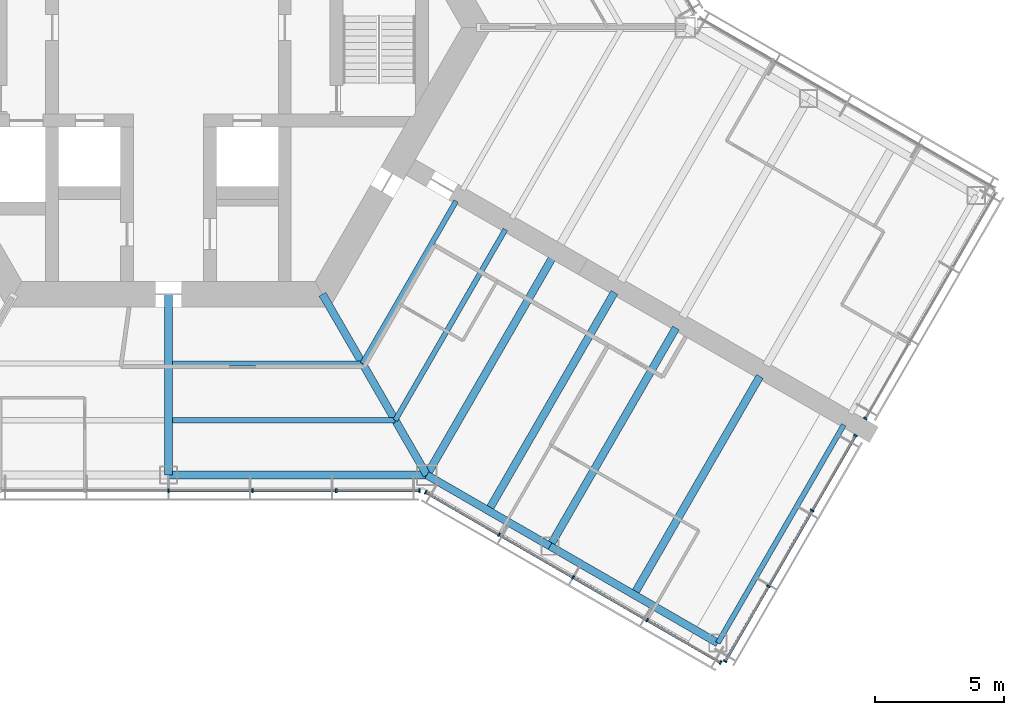
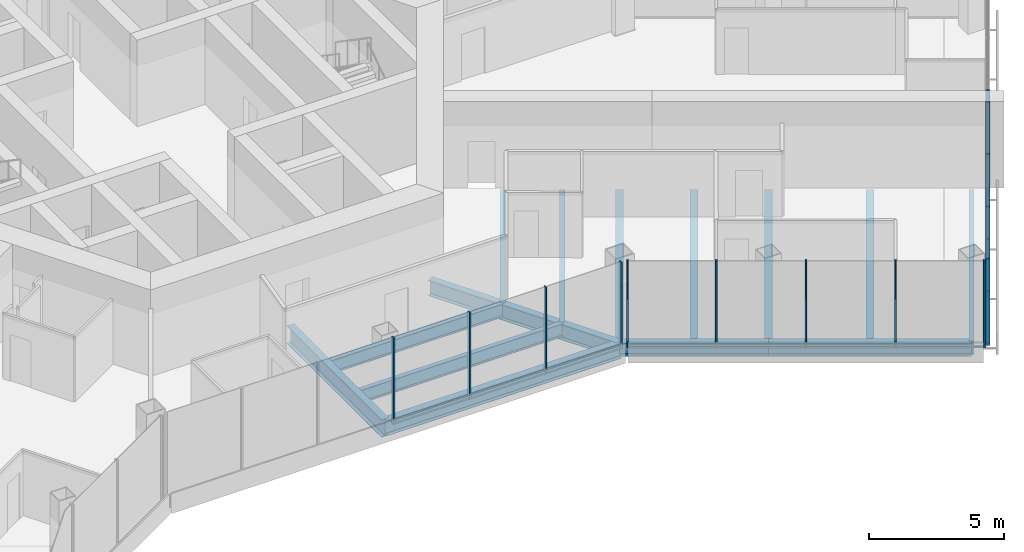
# One storey, part 5 of 18: 24 members, 14 beams, 4 elements without a shape of their own.
"""IFC4 building model written with IfcOpenShell, lengths in metres."""

from ifc_helpers import new_model, si_unit, direction, frame, origin, origin_2d, place, context, subcontext, project, spatial, rectangle, i_section, extrude, material, material_profile, profile_set, type_object, element, aggregate, save


model = new_model("IFC4")

# Units and contexts
model_context = context("Model", 3, precision=1e-05, world=origin(), true_north=direction((0.0, 1.0)))
body_context = subcontext(model_context, "Body", "Model", "MODEL_VIEW")
ifc_project = project(units=[si_unit("LENGTHUNIT", "METRE"), si_unit("AREAUNIT", "SQUARE_METRE"), si_unit("VOLUMEUNIT", "CUBIC_METRE"), si_unit("PLANEANGLEUNIT", "RADIAN"), si_unit("MASSUNIT", "GRAM", prefix="KILO")], contexts=[model_context])

# Site, building, storey
site_placement = place(None, origin())
site = spatial("IfcSite", under=ifc_project, at=site_placement, CompositionType="ELEMENT")
building_placement = place(site_placement, origin())
building = spatial("IfcBuilding", under=site, at=building_placement, Name="Kasaneha Research Tower", CompositionType="ELEMENT")
storey_placement = place(building_placement, frame((0.0, 0.0, 137.0)))
storey = spatial("IfcBuildingStorey", under=building, at=storey_placement, Name="L34", CompositionType="ELEMENT", Elevation=137.0)

# Beams
ifc_material_1 = material(Name="Steel SN490B", Category="steel")
ifc_material_profile_1 = material_profile(ifc_material_1, i_section(OverallWidth=0.199951171875, OverallDepth=0.60009765625, WebThickness=0.010986328125, FlangeThickness=0.01708984375, FilletRadius=0.012939453125, at=origin_2d()), Name="H-600x200x11x17")
ifc_profile_set_1 = profile_set([ifc_material_profile_1], Name="Steel SN490B")
beam_type_1 = type_object("IfcBeamType", Name="B1-3 secondary beam H-600x200x11x17", PredefinedType="JOIST", material=ifc_profile_set_1)
beam_1_placement = place(storey_placement, frame((7.505615234375, -13.0, -0.449951171875), z_axis=(-1.0, 0.0, 0.0), x_axis=(0.0, -1.0, 0.0)))
element("IfcBeam", 1, at=beam_1_placement, inside=storey, type_object=beam_type_1, Name="Secondary beam RS270R1 L34", PredefinedType="JOIST", context=body_context, shape_type="SweptSolid", body=[
    extrude(i_section(OverallWidth=0.199951171875, OverallDepth=0.60009765625, WebThickness=0.010986328125, FlangeThickness=0.01708984375, FilletRadius=0.012939453125, at=origin_2d()), origin(), (0.0, 0.0, 1.0), 7.355712890625),
])
beam_2_placement = place(storey_placement, frame((8.775634765625, -15.199951171875, -0.449951171875), z_axis=(-1.0, 0.0, 0.0), x_axis=(0.0, -1.0, 0.0)))
element("IfcBeam", 2, at=beam_2_placement, inside=storey, type_object=beam_type_1, Name="Secondary beam RS270R2 L34", PredefinedType="JOIST", context=body_context, shape_type="SweptSolid", body=[
    extrude(i_section(OverallWidth=0.199951171875, OverallDepth=0.60009765625, WebThickness=0.010986328125, FlangeThickness=0.01708984375, FilletRadius=0.012939453125, at=origin_2d()), origin(), (0.0, 0.0, 1.0), 8.625732421875),
])
beam_3_placement = place(storey_placement, frame((7.505615234375, -13.0, -0.449951171875), z_axis=(0.499993340521, 0.866029248602, 0.0), x_axis=(-0.866029248602, 0.499993340521, 0.0)))
element("IfcBeam", 3, at=beam_3_placement, inside=storey, type_object=beam_type_1, Name="Secondary beam RS330L1 L34", PredefinedType="JOIST", context=body_context, shape_type="SweptSolid", body=[
    extrude(i_section(OverallWidth=0.199951171875, OverallDepth=0.60009765625, WebThickness=0.010986328125, FlangeThickness=0.01708984375, FilletRadius=0.012939453125, at=origin_2d()), origin(), (0.0, 0.0, 1.0), 7.25537109375),
])
beam_4_placement = place(storey_placement, frame((8.775634765625, -15.199951171875, -0.449951171875), z_axis=(0.500004205306, 0.866022975836, 0.0), x_axis=(-0.866022975836, 0.500004205306, 0.0)))
element("IfcBeam", 4, at=beam_4_placement, inside=storey, type_object=beam_type_1, Name="Secondary beam RS330L2 L34", PredefinedType="JOIST", context=body_context, shape_type="SweptSolid", body=[
    extrude(i_section(OverallWidth=0.199951171875, OverallDepth=0.60009765625, WebThickness=0.010986328125, FlangeThickness=0.01708984375, FilletRadius=0.012939453125, at=origin_2d()), origin(), (0.0, 0.0, 1.0), 8.52587890625),
])
ifc_material_2 = material(Name="Steel SN490B", Category="steel")
ifc_material_profile_2 = material_profile(ifc_material_2, i_section(OverallWidth=0.300048828125, OverallDepth=0.58203125, WebThickness=0.011962890625, FlangeThickness=0.01708984375, FilletRadius=0.012939453125, at=origin_2d()), Name="H-582x300x12x17")
ifc_profile_set_2 = profile_set([ifc_material_profile_2], Name="Steel SN490B")
beam_type_2 = type_object("IfcBeamType", Name="B2-3 secondary beam H-582x300x12x17", PredefinedType="JOIST", material=ifc_profile_set_2)
for number, where, z_axis, x_axis, name in (
    (5, (12.381591796875, -18.695556640625, -0.44091796875), (0.499995560238, 0.866027967067, 0.0), (-0.866027967067, 0.499995560238, 0.0), "Secondary beam WBCP1 L34"),
    (6, (18.0107421875, -21.945556640625, -0.44091796875), (0.499995560238, 0.866027967067, 0.0), (-0.866027967067, 0.499995560238, 0.0), "Secondary beam WBCP2 L34"),
):
    element("IfcBeam", number, at=place(storey_placement, frame(where, z_axis=z_axis, x_axis=x_axis)), inside=storey, type_object=beam_type_2, Name=name, PredefinedType="JOIST", context=body_context, shape_type="SweptSolid", body=[
        extrude(i_section(OverallWidth=0.300048828125, OverallDepth=0.58203125, WebThickness=0.011962890625, FlangeThickness=0.01708984375, FilletRadius=0.012939453125, at=origin_2d()), origin(), (0.0, 0.0, 1.0), 9.75),
    ])

# Curtain wall, members
ifc_material_3 = material(Name="Glass and aluminium", Category="aluminium")
curtain_wall_type = type_object("IfcCurtainWallType", Name="Mid-rise office curtain wall", PredefinedType="USERDEFINED", material=ifc_material_3)
curtain_wall_1_placement = place(storey_placement, origin())
curtain_wall_1 = element("IfcCurtainWall", 7, at=curtain_wall_1_placement, inside=storey, type_object=curtain_wall_type, Name="CW-O2 L34 run 01a", ObjectType="UNITISED CURTAIN WALL", PredefinedType="USERDEFINED")
ifc_material_4 = material(Name="Aluminium 6063-T6", Category="aluminium")
ifc_material_profile_3 = material_profile(ifc_material_4, rectangle(XDim=0.06005859375, YDim=0.14990234375, at=origin_2d()), Name="CW-O2 mullion 60x150")
ifc_profile_set_3 = profile_set([ifc_material_profile_3], Name="Aluminium 6063-T6")
member_type_1 = type_object("IfcMemberType", Name="CW-O2 mullion", PredefinedType="MULLION", material=ifc_profile_set_3)
member_1_placement = place(storey_placement, frame((0.0, -17.92041015625, 0.0), z_axis=(0.0, 0.0, 1.0), x_axis=(1.0, 0.0, 0.0)))
member_1 = element("IfcMember", 8, at=member_1_placement, type_object=member_type_1, Name="CW-O2 mullion 4", PredefinedType="MULLION", context=body_context, shape_type="SweptSolid", body=[
    extrude(rectangle(XDim=0.06005859375, YDim=0.14990234375, at=origin_2d()), origin(), (0.0, 0.0, 1.0), 3.89990234375),
])
member_2_placement = place(storey_placement, frame((3.246337890625, -17.92041015625, 0.0), z_axis=(0.0, 0.0, 1.0), x_axis=(1.0, 0.0, 0.0)))
member_2 = element("IfcMember", 9, at=member_2_placement, type_object=member_type_1, Name="CW-O2 mullion 5", PredefinedType="MULLION", context=body_context, shape_type="SweptSolid", body=[
    extrude(rectangle(XDim=0.06005859375, YDim=0.14990234375, at=origin_2d()), origin(), (0.0, 0.0, 1.0), 3.89990234375),
])
member_3_placement = place(storey_placement, frame((6.492919921875, -17.92041015625, 0.0), z_axis=(0.0, 0.0, 1.0), x_axis=(1.0, 0.0, 0.0)))
member_3 = element("IfcMember", 10, at=member_3_placement, type_object=member_type_1, Name="CW-O2 mullion 6", PredefinedType="MULLION", context=body_context, shape_type="SweptSolid", body=[
    extrude(rectangle(XDim=0.06005859375, YDim=0.14990234375, at=origin_2d()), origin(), (0.0, 0.0, 1.0), 3.89990234375),
])
member_4_placement = place(storey_placement, frame((9.709228515625, -17.92041015625, 0.0), z_axis=(0.0, 0.0, 1.0), x_axis=(1.0, 0.0, 0.0)))
member_4 = element("IfcMember", 11, at=member_4_placement, type_object=member_type_1, Name="CW-O2 mullion 7", PredefinedType="MULLION", context=body_context, shape_type="SweptSolid", body=[
    extrude(rectangle(XDim=0.06005859375, YDim=0.14990234375, at=origin_2d()), origin(), (0.0, 0.0, 1.0), 3.89990234375),
])

curtain_wall_2_placement = place(storey_placement, origin())
curtain_wall_2 = element("IfcCurtainWall", 12, at=curtain_wall_2_placement, inside=storey, type_object=curtain_wall_type, Name="CW-O2 L34 run 02a", ObjectType="UNITISED CURTAIN WALL", PredefinedType="USERDEFINED")
member_5_placement = place(storey_placement, frame((9.951904296875, -17.985595703125, 0.0), z_axis=(0.0, 0.0, 1.0), x_axis=(0.866025411464, -0.499999986699, 0.0)))
member_5 = element("IfcMember", 13, at=member_5_placement, type_object=member_type_1, Name="CW-O2 mullion 1", PredefinedType="MULLION", context=body_context, shape_type="SweptSolid", body=[
    extrude(rectangle(XDim=0.06005859375, YDim=0.14990234375, at=origin_2d()), origin(), (0.0, 0.0, 1.0), 3.89990234375),
])
member_6_placement = place(storey_placement, frame((12.792236328125, -19.62548828125, 0.0), z_axis=(0.0, 0.0, 1.0), x_axis=(0.866025411464, -0.499999986699, 0.0)))
member_6 = element("IfcMember", 14, at=member_6_placement, type_object=member_type_1, Name="CW-O2 mullion 2", PredefinedType="MULLION", context=body_context, shape_type="SweptSolid", body=[
    extrude(rectangle(XDim=0.06005859375, YDim=0.14990234375, at=origin_2d()), origin(), (0.0, 0.0, 1.0), 3.89990234375),
])
member_7_placement = place(storey_placement, frame((15.65869140625, -21.2802734375, 0.0), z_axis=(0.0, 0.0, 1.0), x_axis=(0.866025411464, -0.499999986699, 0.0)))
member_7 = element("IfcMember", 15, at=member_7_placement, type_object=member_type_1, Name="CW-O2 mullion 3", PredefinedType="MULLION", context=body_context, shape_type="SweptSolid", body=[
    extrude(rectangle(XDim=0.06005859375, YDim=0.14990234375, at=origin_2d()), origin(), (0.0, 0.0, 1.0), 3.89990234375),
])
member_8_placement = place(storey_placement, frame((18.52490234375, -22.935302734375, 0.0), z_axis=(0.0, 0.0, 1.0), x_axis=(0.866025411464, -0.499999986699, 0.0)))
member_8 = element("IfcMember", 16, at=member_8_placement, type_object=member_type_1, Name="CW-O2 mullion 4", PredefinedType="MULLION", context=body_context, shape_type="SweptSolid", body=[
    extrude(rectangle(XDim=0.06005859375, YDim=0.14990234375, at=origin_2d()), origin(), (0.0, 0.0, 1.0), 3.89990234375),
])
member_9_placement = place(storey_placement, frame((21.365478515625, -24.5751953125, 0.0), z_axis=(0.0, 0.0, 1.0), x_axis=(0.866025411464, -0.499999986699, 0.0)))
member_9 = element("IfcMember", 17, at=member_9_placement, type_object=member_type_1, Name="CW-O2 mullion 5", PredefinedType="MULLION", context=body_context, shape_type="SweptSolid", body=[
    extrude(rectangle(XDim=0.06005859375, YDim=0.14990234375, at=origin_2d()), origin(), (0.0, 0.0, 1.0), 3.89990234375),
])

curtain_wall_3_placement = place(storey_placement, origin())
curtain_wall_3 = element("IfcCurtainWall", 18, at=curtain_wall_3_placement, inside=storey, type_object=curtain_wall_type, Name="CW-O2 L34 run 03a", ObjectType="UNITISED CURTAIN WALL", PredefinedType="USERDEFINED")
member_10_placement = place(storey_placement, frame((21.54296875, -24.527587890625, 0.0), z_axis=(0.0, 0.0, 1.0), x_axis=(0.500000011442, 0.866025397178, 0.0)))
member_10 = element("IfcMember", 19, at=member_10_placement, type_object=member_type_1, Name="CW-O2 mullion 1", PredefinedType="MULLION", context=body_context, shape_type="SweptSolid", body=[
    extrude(rectangle(XDim=0.06005859375, YDim=0.14990234375, at=origin_2d()), origin(), (0.0, 0.0, 1.0), 3.89990234375),
])
member_11_placement = place(storey_placement, frame((23.2197265625, -21.62353515625, 0.0), z_axis=(0.0, 0.0, 1.0), x_axis=(0.500000011442, 0.866025397178, 0.0)))
member_11 = element("IfcMember", 20, at=member_11_placement, type_object=member_type_1, Name="CW-O2 mullion 2", PredefinedType="MULLION", context=body_context, shape_type="SweptSolid", body=[
    extrude(rectangle(XDim=0.06005859375, YDim=0.14990234375, at=origin_2d()), origin(), (0.0, 0.0, 1.0), 3.89990234375),
])
member_12_placement = place(storey_placement, frame((24.911376953125, -18.693359375, 0.0), z_axis=(0.0, 0.0, 1.0), x_axis=(0.500000011442, 0.866025397178, 0.0)))
member_12 = element("IfcMember", 21, at=member_12_placement, type_object=member_type_1, Name="CW-O2 mullion 3", PredefinedType="MULLION", context=body_context, shape_type="SweptSolid", body=[
    extrude(rectangle(XDim=0.06005859375, YDim=0.14990234375, at=origin_2d()), origin(), (0.0, 0.0, 1.0), 3.89990234375),
])
member_13_placement = place(storey_placement, frame((26.587890625, -15.789306640625, 0.0), z_axis=(0.0, 0.0, 1.0), x_axis=(0.500000011442, 0.866025397178, 0.0)))
member_13 = element("IfcMember", 22, at=member_13_placement, type_object=member_type_1, Name="CW-O2 mullion 4", PredefinedType="MULLION", context=body_context, shape_type="SweptSolid", body=[
    extrude(rectangle(XDim=0.06005859375, YDim=0.14990234375, at=origin_2d()), origin(), (0.0, 0.0, 1.0), 3.89990234375),
])

# Curtain wall, member
curtain_wall_4_placement = place(storey_placement, origin())
curtain_wall_4 = element("IfcCurtainWall", 23, at=curtain_wall_4_placement, inside=storey, type_object=curtain_wall_type, Name="CW-O2 L34 run 04a", ObjectType="UNITISED CURTAIN WALL", PredefinedType="USERDEFINED")
member_14_placement = place(storey_placement, frame((26.968017578125, -15.131103515625, 0.0), z_axis=(0.0, 0.0, 1.0), x_axis=(0.500000011442, 0.866025397178, 0.0)))
member_14 = element("IfcMember", 24, at=member_14_placement, type_object=member_type_1, Name="CW-O2 mullion 1", PredefinedType="MULLION", context=body_context, shape_type="SweptSolid", body=[
    extrude(rectangle(XDim=0.06005859375, YDim=0.14990234375, at=origin_2d()), origin(), (0.0, 0.0, 1.0), 3.89990234375),
])
aggregate(curtain_wall_4, [member_14])

# Member
ifc_material_5 = material(Name="Aluminium 6063-T6", Category="aluminium")
ifc_material_profile_4 = material_profile(ifc_material_5, rectangle(XDim=0.110107421875, YDim=0.06005859375, at=origin_2d()), Name="CW-O2 transom 110x60")
ifc_profile_set_4 = profile_set([ifc_material_profile_4], Name="Aluminium 6063-T6")
member_type_2 = type_object("IfcMemberType", Name="CW-O2 transom", PredefinedType="USERDEFINED", material=ifc_profile_set_4)
member_15_placement = place(storey_placement, frame((0.030029296875, -17.92041015625, 0.030029296875), z_axis=(1.0, 0.0, 0.0), x_axis=(0.0, 1.0, 0.0)))
member_15 = element("IfcMember", 25, at=member_15_placement, type_object=member_type_2, Name="CW-O2 transom 4", ObjectType="TRANSOM", PredefinedType="USERDEFINED", context=body_context, shape_type="SweptSolid", body=[
    extrude(rectangle(XDim=0.110107421875, YDim=0.06005859375, at=origin_2d()), origin(), (0.0, 0.0, 1.0), 3.186279296875),
])

member_16_placement = place(storey_placement, frame((3.2763671875, -17.92041015625, 0.030029296875), z_axis=(1.0, 0.0, 0.0), x_axis=(0.0, 1.0, 0.0)))
member_16 = element("IfcMember", 26, at=member_16_placement, type_object=member_type_2, Name="CW-O2 transom 5", ObjectType="TRANSOM", PredefinedType="USERDEFINED", context=body_context, shape_type="SweptSolid", body=[
    extrude(rectangle(XDim=0.110107421875, YDim=0.06005859375, at=origin_2d()), origin(), (0.0, 0.0, 1.0), 3.1865234375),
])

member_17_placement = place(storey_placement, frame((6.522705078125, -17.92041015625, 0.030029296875), z_axis=(1.0, 0.0, 0.0), x_axis=(0.0, 1.0, 0.0)))
member_17 = element("IfcMember", 27, at=member_17_placement, type_object=member_type_2, Name="CW-O2 transom 6", ObjectType="TRANSOM", PredefinedType="USERDEFINED", context=body_context, shape_type="SweptSolid", body=[
    extrude(rectangle(XDim=0.110107421875, YDim=0.06005859375, at=origin_2d()), origin(), (0.0, 0.0, 1.0), 3.156494140625),
])

aggregate(curtain_wall_1, [member_1, member_2, member_3, member_4, member_15, member_16, member_17])

member_18_placement = place(storey_placement, frame((9.977783203125, -18.00048828125, 0.030029296875), z_axis=(0.866022692473, -0.500004696101, 0.0), x_axis=(0.500004696101, 0.866022692473, 0.0)))
member_18 = element("IfcMember", 28, at=member_18_placement, type_object=member_type_2, Name="CW-O2 transom 1", ObjectType="TRANSOM", PredefinedType="USERDEFINED", context=body_context, shape_type="SweptSolid", body=[
    extrude(rectangle(XDim=0.110107421875, YDim=0.06005859375, at=origin_2d()), origin(), (0.0, 0.0, 1.0), 3.2197265625),
])

member_19_placement = place(storey_placement, frame((12.818115234375, -19.640380859375, 0.030029296875), z_axis=(0.866015446554, -0.500017246033, 0.0), x_axis=(0.500017246033, 0.866015446554, 0.0)))
member_19 = element("IfcMember", 29, at=member_19_placement, type_object=member_type_2, Name="CW-O2 transom 2", ObjectType="TRANSOM", PredefinedType="USERDEFINED", context=body_context, shape_type="SweptSolid", body=[
    extrude(rectangle(XDim=0.110107421875, YDim=0.06005859375, at=origin_2d()), origin(), (0.0, 0.0, 1.0), 3.25),
])

member_20_placement = place(storey_placement, frame((15.6845703125, -21.29541015625, 0.030029296875), z_axis=(0.86604797581, -0.499960902066, 0.0), x_axis=(0.499960902066, 0.86604797581, 0.0)))
member_20 = element("IfcMember", 30, at=member_20_placement, type_object=member_type_2, Name="CW-O2 transom 3", ObjectType="TRANSOM", PredefinedType="USERDEFINED", context=body_context, shape_type="SweptSolid", body=[
    extrude(rectangle(XDim=0.110107421875, YDim=0.06005859375, at=origin_2d()), origin(), (0.0, 0.0, 1.0), 3.249755859375),
])

member_21_placement = place(storey_placement, frame((18.551025390625, -22.9501953125, 0.030029296875), z_axis=(0.866022692473, -0.500004696101, 0.0), x_axis=(0.500004696101, 0.866022692473, 0.0)))
member_21 = element("IfcMember", 31, at=member_21_placement, type_object=member_type_2, Name="CW-O2 transom 4", ObjectType="TRANSOM", PredefinedType="USERDEFINED", context=body_context, shape_type="SweptSolid", body=[
    extrude(rectangle(XDim=0.110107421875, YDim=0.06005859375, at=origin_2d()), origin(), (0.0, 0.0, 1.0), 3.2197265625),
])

aggregate(curtain_wall_2, [member_5, member_6, member_7, member_8, member_9, member_18, member_19, member_20, member_21])

member_22_placement = place(storey_placement, frame((21.557861328125, -24.50146484375, 0.030029296875), z_axis=(0.500021914551, 0.866012751043, 0.0), x_axis=(-0.866012751043, 0.500021914551, 0.0)))
member_22 = element("IfcMember", 32, at=member_22_placement, type_object=member_type_2, Name="CW-O2 transom 1", ObjectType="TRANSOM", PredefinedType="USERDEFINED", context=body_context, shape_type="SweptSolid", body=[
    extrude(rectangle(XDim=0.110107421875, YDim=0.06005859375, at=origin_2d()), origin(), (0.0, 0.0, 1.0), 3.293212890625),
])

member_23_placement = place(storey_placement, frame((23.234619140625, -21.597412109375, 0.030029296875), z_axis=(0.500010745865, 0.866019199568, 0.0), x_axis=(-0.866019199568, 0.500010745865, 0.0)))
member_23 = element("IfcMember", 33, at=member_23_placement, type_object=member_type_2, Name="CW-O2 transom 2", ObjectType="TRANSOM", PredefinedType="USERDEFINED", context=body_context, shape_type="SweptSolid", body=[
    extrude(rectangle(XDim=0.110107421875, YDim=0.06005859375, at=origin_2d()), origin(), (0.0, 0.0, 1.0), 3.3232421875),
])

member_24_placement = place(storey_placement, frame((24.92626953125, -18.66748046875, 0.030029296875), z_axis=(0.500021914551, 0.866012751043, 0.0), x_axis=(-0.866012751043, 0.500021914551, 0.0)))
member_24 = element("IfcMember", 34, at=member_24_placement, type_object=member_type_2, Name="CW-O2 transom 3", ObjectType="TRANSOM", PredefinedType="USERDEFINED", context=body_context, shape_type="SweptSolid", body=[
    extrude(rectangle(XDim=0.110107421875, YDim=0.06005859375, at=origin_2d()), origin(), (0.0, 0.0, 1.0), 3.293212890625),
])

aggregate(curtain_wall_3, [member_10, member_11, member_12, member_13, member_22, member_23, member_24])

# Beams
ifc_material_6 = material(Name="Steel SN490B", Category="steel")
ifc_material_profile_5 = material_profile(ifc_material_6, i_section(OverallWidth=0.300048828125, OverallDepth=0.699951171875, WebThickness=0.012939453125, FlangeThickness=0.02392578125, FilletRadius=0.01806640625, at=origin_2d()), Name="H-700x300x13x24")
ifc_profile_set_5 = profile_set([ifc_material_profile_5], Name="Steel SN490B")
beam_type_3 = type_object("IfcBeamType", Name="G1-3 radial girder H-700x300x13x24", PredefinedType="BEAM", material=ifc_profile_set_5)
beam_5_placement = place(storey_placement, frame((5.961181640625, -10.324951171875, -0.5), z_axis=(0.49999105496, -0.866030568144, 0.0), x_axis=(0.866030568144, 0.49999105496, 0.0)))
element("IfcBeam", 35, at=beam_5_placement, inside=storey, type_object=beam_type_3, Name="Radial girder RV300 L34", PredefinedType="BEAM", context=body_context, shape_type="SweptSolid", body=[
    extrude(i_section(OverallWidth=0.300048828125, OverallDepth=0.699951171875, WebThickness=0.012939453125, FlangeThickness=0.02392578125, FilletRadius=0.01806640625, at=origin_2d()), origin(), (0.0, 0.0, 1.0), 8.077880859375),
])
ifc_material_7 = material(Name="Steel SN490B", Category="steel")
ifc_material_profile_6 = material_profile(ifc_material_7, i_section(OverallWidth=0.300048828125, OverallDepth=0.800048828125, WebThickness=0.013916015625, FlangeThickness=0.02587890625, FilletRadius=0.01806640625, at=origin_2d()), Name="H-800x300x14x26")
ifc_profile_set_6 = profile_set([ifc_material_profile_6], Name="Steel SN490B")
beam_type_4 = type_object("IfcBeamType", Name="G2-3 radial girder H-800x300x14x26", PredefinedType="BEAM", material=ifc_profile_set_6)
beam_6_placement = place(storey_placement, frame((0.0, -10.324951171875, -0.550048828125), z_axis=(0.0, -1.0, 0.0), x_axis=(1.0, 0.0, 0.0)))
element("IfcBeam", 36, at=beam_6_placement, inside=storey, type_object=beam_type_4, Name="Radial girder RM270 L34", PredefinedType="BEAM", context=body_context, shape_type="SweptSolid", body=[
    extrude(i_section(OverallWidth=0.300048828125, OverallDepth=0.800048828125, WebThickness=0.013916015625, FlangeThickness=0.02587890625, FilletRadius=0.01806640625, at=origin_2d()), origin(), (0.0, 0.0, 1.0), 6.99560546875),
])
ifc_material_8 = material(Name="Steel SN490B", Category="steel")
ifc_material_profile_7 = material_profile(ifc_material_8, i_section(OverallWidth=0.300048828125, OverallDepth=0.69189453125, WebThickness=0.012939453125, FlangeThickness=0.02001953125, FilletRadius=0.01806640625, at=origin_2d()), Name="H-692x300x13x20")
ifc_profile_set_7 = profile_set([ifc_material_profile_7], Name="Steel SN490B")
beam_type_5 = type_object("IfcBeamType", Name="G3-3 plate edge girder H-692x300x13x20", PredefinedType="BEAM", material=ifc_profile_set_7)
beam_7_placement = place(storey_placement, frame((10.0, -17.320556640625, -0.49609375), z_axis=(0.499995560238, 0.866027967067, 0.0), x_axis=(-0.866027967067, 0.499995560238, 0.0)))
element("IfcBeam", 37, at=beam_7_placement, inside=storey, type_object=beam_type_5, Name="Plate edge girder PECP L34", PredefinedType="BEAM", context=body_context, shape_type="SweptSolid", body=[
    extrude(i_section(OverallWidth=0.300048828125, OverallDepth=0.69189453125, WebThickness=0.012939453125, FlangeThickness=0.02001953125, FilletRadius=0.01806640625, at=origin_2d()), origin(), (0.0, 0.0, 1.0), 9.75),
])
ifc_material_9 = material(Name="Steel SN490B", Category="steel")
ifc_material_profile_8 = material_profile(ifc_material_9, i_section(OverallWidth=0.300048828125, OverallDepth=0.699951171875, WebThickness=0.012939453125, FlangeThickness=0.02392578125, FilletRadius=0.01806640625, at=origin_2d()), Name="H-700x300x13x24")
ifc_profile_set_8 = profile_set([ifc_material_profile_8], Name="Steel SN490B")
beam_type_6 = type_object("IfcBeamType", Name="G4-3 wing girder H-700x300x13x24", PredefinedType="BEAM", material=ifc_profile_set_8)
beam_8_placement = place(storey_placement, frame((14.76318359375, -20.070556640625, -0.5), z_axis=(0.499995560238, 0.866027967067, 0.0), x_axis=(-0.866027967067, 0.499995560238, 0.0)))
element("IfcBeam", 38, at=beam_8_placement, inside=storey, type_object=beam_type_6, Name="Wing girder WGCP L34", PredefinedType="BEAM", context=body_context, shape_type="SweptSolid", body=[
    extrude(i_section(OverallWidth=0.300048828125, OverallDepth=0.699951171875, WebThickness=0.012939453125, FlangeThickness=0.02392578125, FilletRadius=0.01806640625, at=origin_2d()), origin(), (0.0, 0.0, 1.0), 9.75),
])
ifc_material_10 = material(Name="Steel SN490B", Category="steel")
ifc_material_profile_9 = material_profile(ifc_material_10, i_section(OverallWidth=0.300048828125, OverallDepth=0.69189453125, WebThickness=0.012939453125, FlangeThickness=0.02001953125, FilletRadius=0.01806640625, at=origin_2d()), Name="H-692x300x13x20")
ifc_profile_set_9 = profile_set([ifc_material_profile_9], Name="Steel SN490B")
beam_type_7 = type_object("IfcBeamType", Name="SB1-3 spandrel beam H-692x300x13x20", PredefinedType="SPANDREL", material=ifc_profile_set_9)
beam_9_placement = place(storey_placement, frame((10.0, -17.320556640625, -0.49609375), z_axis=(-1.0, 0.0, 0.0), x_axis=(0.0, -1.0, 0.0)))
element("IfcBeam", 39, at=beam_9_placement, inside=storey, type_object=beam_type_7, Name="Spandrel beam SR270R L34", PredefinedType="SPANDREL", context=body_context, shape_type="SweptSolid", body=[
    extrude(i_section(OverallWidth=0.300048828125, OverallDepth=0.69189453125, WebThickness=0.012939453125, FlangeThickness=0.02001953125, FilletRadius=0.01806640625, at=origin_2d()), origin(), (0.0, 0.0, 1.0), 10.0),
])
ifc_material_11 = material(Name="Steel SN490B", Category="steel")
ifc_material_profile_10 = material_profile(ifc_material_11, i_section(OverallWidth=0.300048828125, OverallDepth=0.58203125, WebThickness=0.011962890625, FlangeThickness=0.01708984375, FilletRadius=0.012939453125, at=origin_2d()), Name="H-582x300x12x17")
ifc_profile_set_10 = profile_set([ifc_material_profile_10], Name="Steel SN490B")
beam_type_8 = type_object("IfcBeamType", Name="SB2-3 spandrel beam H-582x300x12x17", PredefinedType="SPANDREL", material=ifc_profile_set_10)
beam_10_placement = place(storey_placement, frame((10.0, -17.320556640625, -0.44091796875), z_axis=(0.866027397988, -0.499996545922, 0.0), x_axis=(0.499996545922, 0.866027397988, 0.0)))
element("IfcBeam", 40, at=beam_10_placement, inside=storey, type_object=beam_type_8, Name="Spandrel beam WSCP1 L34", PredefinedType="SPANDREL", context=body_context, shape_type="SweptSolid", body=[
    extrude(i_section(OverallWidth=0.300048828125, OverallDepth=0.58203125, WebThickness=0.011962890625, FlangeThickness=0.01708984375, FilletRadius=0.012939453125, at=origin_2d()), origin(), (0.0, 0.0, 1.0), 5.5),
])
beam_11_placement = place(storey_placement, frame((14.76318359375, -20.070556640625, -0.44091796875), z_axis=(0.866022959057, -0.500004234368, 0.0), x_axis=(0.500004234368, 0.866022959057, 0.0)))
element("IfcBeam", 41, at=beam_11_placement, inside=storey, type_object=beam_type_8, Name="Spandrel beam WSCP2 L34", PredefinedType="SPANDREL", context=body_context, shape_type="SweptSolid", body=[
    extrude(i_section(OverallWidth=0.300048828125, OverallDepth=0.58203125, WebThickness=0.011962890625, FlangeThickness=0.01708984375, FilletRadius=0.012939453125, at=origin_2d()), origin(), (0.0, 0.0, 1.0), 7.5),
])
ifc_material_12 = material(Name="Steel SN490B", Category="steel")
ifc_material_profile_11 = material_profile(ifc_material_12, i_section(OverallWidth=0.199951171875, OverallDepth=0.60009765625, WebThickness=0.010986328125, FlangeThickness=0.01708984375, FilletRadius=0.012939453125, at=origin_2d()), Name="H-600x200x11x17")
ifc_profile_set_11 = profile_set([ifc_material_profile_11], Name="Steel SN490B")
beam_type_9 = type_object("IfcBeamType", Name="SB3-3 spandrel beam H-600x200x11x17", PredefinedType="SPANDREL", material=ifc_profile_set_11)
beam_12_placement = place(storey_placement, frame((21.25830078125, -23.820556640625, -0.449951171875), z_axis=(0.499995560238, 0.866027967067, 0.0), x_axis=(-0.866027967067, 0.499995560238, 0.0)))
element("IfcBeam", 42, at=beam_12_placement, inside=storey, type_object=beam_type_9, Name="Spandrel beam WTCP L34", PredefinedType="SPANDREL", context=body_context, shape_type="SweptSolid", body=[
    extrude(i_section(OverallWidth=0.199951171875, OverallDepth=0.60009765625, WebThickness=0.010986328125, FlangeThickness=0.01708984375, FilletRadius=0.012939453125, at=origin_2d()), origin(), (0.0, 0.0, 1.0), 9.75),
])

save(model, "model.ifc")
